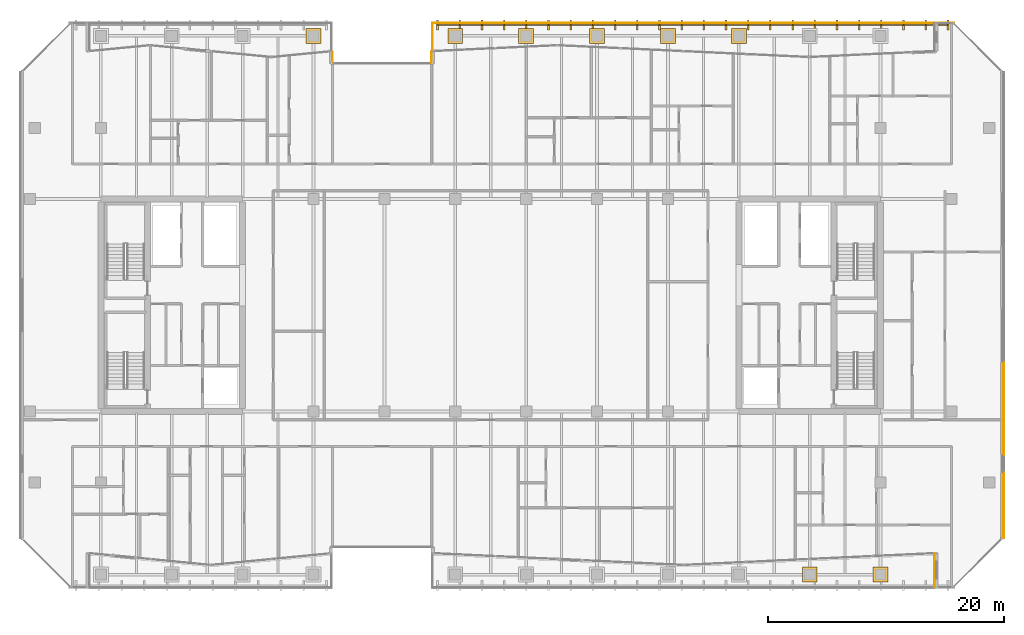
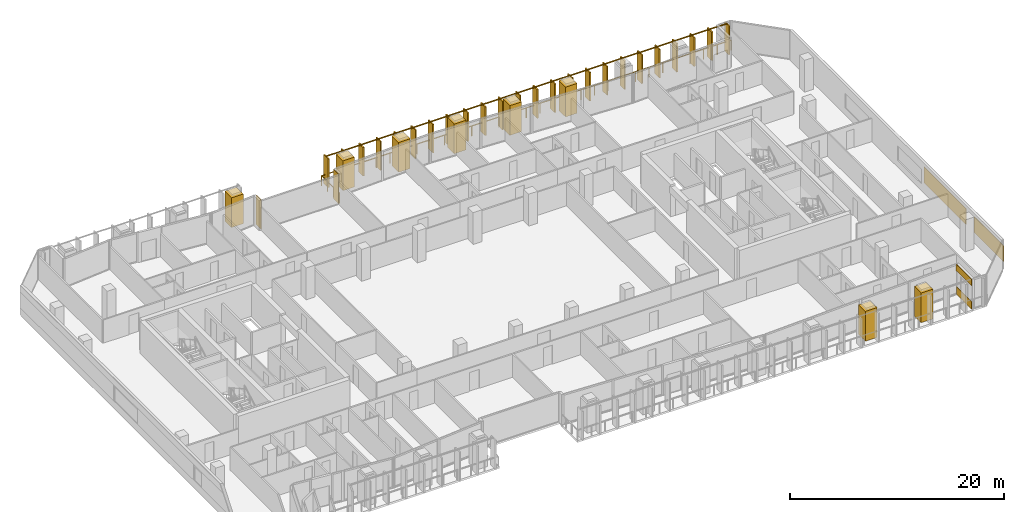
# One storey, part 37 of 39: 14 coverings, 2 railings.
"""IFC4 building model written with IfcOpenShell, lengths in metres."""

from ifc_helpers import new_model, si_unit, direction, frame, origin, origin_2d, place, context, subcontext, project, spatial, rectangle, extrude, material, layer, layer_set, type_object, element, save


model = new_model("IFC4")

# Units and contexts
model_context = context("Model", 3, precision=1e-05, world=origin(), true_north=direction((0.0, 1.0)))
body_context = subcontext(model_context, "Body", "Model", "MODEL_VIEW")
ifc_project = project(units=[si_unit("LENGTHUNIT", "METRE"), si_unit("AREAUNIT", "SQUARE_METRE"), si_unit("VOLUMEUNIT", "CUBIC_METRE"), si_unit("PLANEANGLEUNIT", "RADIAN"), si_unit("MASSUNIT", "GRAM", prefix="KILO")], contexts=[model_context])

# Site, building, storey
site_placement = place(None, origin())
site = spatial("IfcSite", under=ifc_project, at=site_placement, CompositionType="ELEMENT")
building_placement = place(site_placement, origin())
building = spatial("IfcBuilding", under=site, at=building_placement, Name="Tanjung Sevakor Pilgrim Tower", CompositionType="ELEMENT")
storey_placement = place(building_placement, frame((0.0, 0.0, 108.570068359375)))
storey = spatial("IfcBuildingStorey", under=building, at=storey_placement, Name="L30", CompositionType="ELEMENT", Elevation=108.570068359375)

# Coverings
ifc_material_1 = material(Name="Reconstructed Limestone Cladding", Category="masonry")
ifc_layer = layer(ifc_material_1, 0.044921875)
ifc_layer_set = layer_set([ifc_layer], Name="COV-CLAD-LIMESTONE")
covering_type = type_object("IfcCoveringType", Name="COV-CLAD-LIMESTONE", PredefinedType="CLADDING", material=ifc_layer_set)
covering_1_placement = place(storey_placement, frame((94.577392578125, 11.16796875, 0.009765625), z_axis=(0.0, 0.0, 1.0), x_axis=(0.0, -1.0, 0.0)))
element("IfcCovering", 1, at=covering_1_placement, inside=storey, type_object=covering_type, Name="L30 Warm Limestone Sill Spandrel EW-L30-MAIN-14-1", PredefinedType="CLADDING", context=body_context, shape_type="SweptSolid", body=[
    extrude(rectangle(XDim=2.805908203125, YDim=0.044921875, at=origin_2d()), origin(), (0.0, 0.0, 1.0), 0.840087890625),
])
covering_2_placement = place(storey_placement, frame((94.577392578125, 11.16796875, 2.66015625), z_axis=(0.0, 0.0, 1.0), x_axis=(0.0, -1.0, 0.0)))
element("IfcCovering", 2, at=covering_2_placement, inside=storey, type_object=covering_type, Name="L30 Warm Limestone Cornice Spandrel EW-L30-MAIN-14", PredefinedType="CLADDING", context=body_context, shape_type="SweptSolid", body=[
    extrude(rectangle(XDim=2.845947265625, YDim=0.044921875, at=origin_2d()), origin(), (0.0, 0.0, 1.0), 0.739990234375),
])
covering_3_placement = place(storey_placement, frame((100.422607421875, 16.648681640625, 0.849853515625), z_axis=(0.0, 0.0, 1.0), x_axis=(0.0, 1.0, 0.0)))
element("IfcCovering", 3, at=covering_3_placement, inside=storey, type_object=covering_type, Name="L30 Warm Limestone Pier Panel EW-L30-MAIN-17-1", PredefinedType="CLADDING", context=body_context, shape_type="SweptSolid", body=[
    extrude(rectangle(XDim=5.51416015625, YDim=0.044921875, at=origin_2d()), origin(), (0.0, 0.0, 1.0), 1.81005859375),
])
covering_4_placement = place(storey_placement, frame((100.422607421875, 24.8330078125, 0.849853515625), z_axis=(0.0, 0.0, 1.0), x_axis=(0.0, 1.0, 0.0)))
element("IfcCovering", 4, at=covering_4_placement, inside=storey, type_object=covering_type, Name="L30 Warm Limestone Pier Panel EW-L30-MAIN-17-2", PredefinedType="CLADDING", context=body_context, shape_type="SweptSolid", body=[
    extrude(rectangle(XDim=7.85400390625, YDim=0.044921875, at=origin_2d()), origin(), (0.0, 0.0, 1.0), 1.81005859375),
])
covering_5_placement = place(storey_placement, frame((51.9775390625, 54.587890625, 0.019775390625), z_axis=(0.0, 0.0, 1.0), x_axis=(0.0, -1.0, 0.0)))
element("IfcCovering", 5, at=covering_5_placement, inside=storey, type_object=covering_type, Name="L30 Warm Limestone Wall Cladding EW-L30-MAIN-25", PredefinedType="CLADDING", context=body_context, shape_type="SweptSolid", body=[
    extrude(rectangle(XDim=0.985595703125, YDim=0.044921875, at=origin_2d()), origin(), (0.0, 0.0, 1.0), 3.3701171875),
])
covering_6_placement = place(storey_placement, frame((43.62255859375, 54.57861328125, 0.019775390625), z_axis=(0.0, 0.0, 1.0), x_axis=(0.0, 1.0, 0.0)))
element("IfcCovering", 6, at=covering_6_placement, inside=storey, type_object=covering_type, Name="L30 Warm Limestone Wall Cladding EW-L30-MAIN-27", PredefinedType="CLADDING", context=body_context, shape_type="SweptSolid", body=[
    extrude(rectangle(XDim=0.96728515625, YDim=0.044921875, at=origin_2d()), origin(), (0.0, 0.0, 1.0), 3.3701171875),
])
for number, where, z_axis, x_axis, name in (
    (7, (42.0, 56.39990234375, 0.009765625), (0.0, 0.0, 1.0), (1.0, 0.0, 0.0), "L30 Colonnade Pier Limestone Casing 32"),
    (8, (54.0, 56.39990234375, 0.009765625), (0.0, 0.0, 1.0), (1.0, 0.0, 0.0), "L30 Colonnade Pier Limestone Casing 34"),
    (9, (60.0, 56.39990234375, 0.009765625), (0.0, 0.0, 1.0), (1.0, 0.0, 0.0), "L30 Colonnade Pier Limestone Casing 36"),
    (10, (66.0, 56.39990234375, 0.009765625), (0.0, 0.0, 1.0), (1.0, 0.0, 0.0), "L30 Colonnade Pier Limestone Casing 38"),
    (11, (72.0, 56.39990234375, 0.009765625), (0.0, 0.0, 1.0), (1.0, 0.0, 0.0), "L30 Colonnade Pier Limestone Casing 40"),
    (12, (78.0, 56.39990234375, 0.009765625), (0.0, 0.0, 1.0), (1.0, 0.0, 0.0), "L30 Colonnade Pier Limestone Casing 42"),
    (13, (84.0, 10.800048828125, 0.009765625), (0.0, 0.0, 1.0), (1.0, 0.0, 0.0), "L30 Colonnade Pier Limestone Casing 43"),
    (14, (90.0, 10.800048828125, 0.009765625), (0.0, 0.0, 1.0), (1.0, 0.0, 0.0), "L30 Colonnade Pier Limestone Casing 45"),
):
    element("IfcCovering", number, at=place(storey_placement, frame(where, z_axis=z_axis, x_axis=x_axis)), inside=storey, type_object=covering_type, Name=name, PredefinedType="CLADDING", context=body_context, shape_type="SweptSolid", body=[
        extrude(rectangle(XDim=1.260009765625, YDim=1.260009765625, at=origin_2d()), origin(), (0.0, 0.0, 1.0), 3.389892578125),
    ])

# Railings
ifc_material_2 = material(Name="Steel S355J2", Category="steel")
railing_type_1 = type_object("IfcRailingType", Name="RL-EXT-GUARD", PredefinedType="GUARDRAIL", material=ifc_material_2)
railing_1_placement = place(storey_placement, frame((52.080078125, 54.199951171875, 0.0)))
element("IfcRailing", 15, at=railing_1_placement, inside=storey, type_object=railing_type_1, Name="L30 S-Curve Gap Guardrail NE", PredefinedType="GUARDRAIL", context=body_context, shape_type="SweptSolid", body=[
    extrude(rectangle(XDim=0.0479, YDim=0.0479), frame((0.0, 0.0, 1.1259765625), z_axis=(0.0, 1.0, 0.0), x_axis=(-1.0, 0.0, 0.0)), (0.0, 0.0, 1.0), 3.300048828125),
    extrude(rectangle(XDim=0.0479, YDim=0.0479), frame((0.0, 3.300048828125, 1.1259765625), z_axis=(1.0, 0.0, 0.0), x_axis=(0.0, 1.0, 0.0)), (0.0, 0.0, 1.0), 44.119873046875),
    extrude(rectangle(XDim=0.042, YDim=0.042), origin(), (0.0, 0.0, 1.0), 1.101806640625),
    extrude(rectangle(XDim=0.042, YDim=0.042), frame((0.0, 1.10009765625, 0.0)), (0.0, 0.0, 1.0), 1.101806640625),
    extrude(rectangle(XDim=0.042, YDim=0.042), frame((0.0, 2.199951171875, 0.0)), (0.0, 0.0, 1.0), 1.101806640625),
    extrude(rectangle(XDim=0.042, YDim=0.042), frame((0.0, 3.300048828125, 0.0)), (0.0, 0.0, 1.0), 1.101806640625),
    extrude(rectangle(XDim=0.042, YDim=0.042), frame((1.470703125, 3.300048828125, 0.0)), (0.0, 0.0, 1.0), 1.101806640625),
    extrude(rectangle(XDim=0.042, YDim=0.042), frame((2.94140625, 3.300048828125, 0.0)), (0.0, 0.0, 1.0), 1.101806640625),
    extrude(rectangle(XDim=0.042, YDim=0.042), frame((4.412109375, 3.300048828125, 0.0)), (0.0, 0.0, 1.0), 1.101806640625),
    extrude(rectangle(XDim=0.042, YDim=0.042), frame((5.882568359375, 3.300048828125, 0.0)), (0.0, 0.0, 1.0), 1.101806640625),
    extrude(rectangle(XDim=0.042, YDim=0.042), frame((7.353271484375, 3.300048828125, 0.0)), (0.0, 0.0, 1.0), 1.101806640625),
    extrude(rectangle(XDim=0.042, YDim=0.042), frame((8.823974609375, 3.300048828125, 0.0)), (0.0, 0.0, 1.0), 1.101806640625),
    extrude(rectangle(XDim=0.042, YDim=0.042), frame((10.294677734375, 3.300048828125, 0.0)), (0.0, 0.0, 1.0), 1.101806640625),
    extrude(rectangle(XDim=0.042, YDim=0.042), frame((11.765380859375, 3.300048828125, 0.0)), (0.0, 0.0, 1.0), 1.101806640625),
    extrude(rectangle(XDim=0.042, YDim=0.042), frame((13.23583984375, 3.300048828125, 0.0)), (0.0, 0.0, 1.0), 1.101806640625),
    extrude(rectangle(XDim=0.042, YDim=0.042), frame((14.70654296875, 3.300048828125, 0.0)), (0.0, 0.0, 1.0), 1.101806640625),
    extrude(rectangle(XDim=0.042, YDim=0.042), frame((16.17724609375, 3.300048828125, 0.0)), (0.0, 0.0, 1.0), 1.101806640625),
    extrude(rectangle(XDim=0.042, YDim=0.042), frame((17.64794921875, 3.300048828125, 0.0)), (0.0, 0.0, 1.0), 1.101806640625),
    extrude(rectangle(XDim=0.042, YDim=0.042), frame((19.11865234375, 3.300048828125, 0.0)), (0.0, 0.0, 1.0), 1.101806640625),
    extrude(rectangle(XDim=0.042, YDim=0.042), frame((20.58935546875, 3.300048828125, 0.0)), (0.0, 0.0, 1.0), 1.101806640625),
    extrude(rectangle(XDim=0.042, YDim=0.042), frame((22.06005859375, 3.300048828125, 0.0)), (0.0, 0.0, 1.0), 1.101806640625),
    extrude(rectangle(XDim=0.042, YDim=0.042), frame((23.530517578125, 3.300048828125, 0.0)), (0.0, 0.0, 1.0), 1.101806640625),
    extrude(rectangle(XDim=0.042, YDim=0.042), frame((25.001220703125, 3.300048828125, 0.0)), (0.0, 0.0, 1.0), 1.101806640625),
    extrude(rectangle(XDim=0.042, YDim=0.042), frame((26.471923828125, 3.300048828125, 0.0)), (0.0, 0.0, 1.0), 1.101806640625),
    extrude(rectangle(XDim=0.042, YDim=0.042), frame((27.942626953125, 3.300048828125, 0.0)), (0.0, 0.0, 1.0), 1.101806640625),
    extrude(rectangle(XDim=0.042, YDim=0.042), frame((29.413330078125, 3.300048828125, 0.0)), (0.0, 0.0, 1.0), 1.101806640625),
    extrude(rectangle(XDim=0.042, YDim=0.042), frame((30.8837890625, 3.300048828125, 0.0)), (0.0, 0.0, 1.0), 1.101806640625),
    extrude(rectangle(XDim=0.042, YDim=0.042), frame((32.3544921875, 3.300048828125, 0.0)), (0.0, 0.0, 1.0), 1.101806640625),
    extrude(rectangle(XDim=0.042, YDim=0.042), frame((33.8251953125, 3.300048828125, 0.0)), (0.0, 0.0, 1.0), 1.101806640625),
    extrude(rectangle(XDim=0.042, YDim=0.042), frame((35.2958984375, 3.300048828125, 0.0)), (0.0, 0.0, 1.0), 1.101806640625),
    extrude(rectangle(XDim=0.042, YDim=0.042), frame((36.7666015625, 3.300048828125, 0.0)), (0.0, 0.0, 1.0), 1.101806640625),
    extrude(rectangle(XDim=0.042, YDim=0.042), frame((38.2373046875, 3.300048828125, 0.0)), (0.0, 0.0, 1.0), 1.101806640625),
    extrude(rectangle(XDim=0.042, YDim=0.042), frame((39.7080078125, 3.300048828125, 0.0)), (0.0, 0.0, 1.0), 1.101806640625),
    extrude(rectangle(XDim=0.042, YDim=0.042), frame((41.178466796875, 3.300048828125, 0.0)), (0.0, 0.0, 1.0), 1.101806640625),
    extrude(rectangle(XDim=0.042, YDim=0.042), frame((42.649169921875, 3.300048828125, 0.0)), (0.0, 0.0, 1.0), 1.101806640625),
    extrude(rectangle(XDim=0.042, YDim=0.042), frame((44.119873046875, 3.300048828125, 0.0)), (0.0, 0.0, 1.0), 1.101806640625),
])
ifc_material_3 = material(Name="Anodised Bronze Aluminium 6063-T6", Category="aluminium")
railing_type_2 = type_object("IfcRailingType", Name="RL-FIN-SCREEN", PredefinedType="BALUSTRADE", material=ifc_material_3)
railing_2_placement = place(storey_placement, frame((52.5, 57.320068359375, 0.0)))
element("IfcRailing", 16, at=railing_2_placement, inside=storey, type_object=railing_type_2, Name="L30 Vertical Bronze-Gold Solar Fin Screen FN-SCGAP-L30-NE-1", PredefinedType="BALUSTRADE", context=body_context, shape_type="SweptSolid", body=[
    extrude(rectangle(XDim=0.105, YDim=0.105), frame((0.0, 0.0, 3.317626953125), z_axis=(1.0, 0.0, 0.0), x_axis=(0.0, 1.0, 0.0)), (0.0, 0.0, 1.0), 43.199951171875),
    extrude(rectangle(XDim=0.14, YDim=0.85), origin(), (0.0, 0.0, 1.0), 3.26513671875),
    extrude(rectangle(XDim=0.14, YDim=0.85), frame((1.878173828125, 0.0, 0.0)), (0.0, 0.0, 1.0), 3.26513671875),
    extrude(rectangle(XDim=0.14, YDim=0.85), frame((3.756591796875, 0.0, 0.0)), (0.0, 0.0, 1.0), 3.26513671875),
    extrude(rectangle(XDim=0.14, YDim=0.85), frame((5.634765625, 0.0, 0.0)), (0.0, 0.0, 1.0), 3.26513671875),
    extrude(rectangle(XDim=0.14, YDim=0.85), frame((7.512939453125, 0.0, 0.0)), (0.0, 0.0, 1.0), 3.26513671875),
    extrude(rectangle(XDim=0.14, YDim=0.85), frame((9.391357421875, 0.0, 0.0)), (0.0, 0.0, 1.0), 3.26513671875),
    extrude(rectangle(XDim=0.14, YDim=0.85), frame((11.26953125, 0.0, 0.0)), (0.0, 0.0, 1.0), 3.26513671875),
    extrude(rectangle(XDim=0.14, YDim=0.85), frame((13.147705078125, 0.0, 0.0)), (0.0, 0.0, 1.0), 3.26513671875),
    extrude(rectangle(XDim=0.14, YDim=0.85), frame((15.026123046875, 0.0, 0.0)), (0.0, 0.0, 1.0), 3.26513671875),
    extrude(rectangle(XDim=0.14, YDim=0.85), frame((16.904296875, 0.0, 0.0)), (0.0, 0.0, 1.0), 3.26513671875),
    extrude(rectangle(XDim=0.14, YDim=0.85), frame((18.782470703125, 0.0, 0.0)), (0.0, 0.0, 1.0), 3.26513671875),
    extrude(rectangle(XDim=0.14, YDim=0.85), frame((20.660888671875, 0.0, 0.0)), (0.0, 0.0, 1.0), 3.26513671875),
    extrude(rectangle(XDim=0.14, YDim=0.85), frame((22.5390625, 0.0, 0.0)), (0.0, 0.0, 1.0), 3.26513671875),
    extrude(rectangle(XDim=0.14, YDim=0.85), frame((24.41748046875, 0.0, 0.0)), (0.0, 0.0, 1.0), 3.26513671875),
    extrude(rectangle(XDim=0.14, YDim=0.85), frame((26.295654296875, 0.0, 0.0)), (0.0, 0.0, 1.0), 3.26513671875),
    extrude(rectangle(XDim=0.14, YDim=0.85), frame((28.173828125, 0.0, 0.0)), (0.0, 0.0, 1.0), 3.26513671875),
    extrude(rectangle(XDim=0.14, YDim=0.85), frame((30.05224609375, 0.0, 0.0)), (0.0, 0.0, 1.0), 3.26513671875),
    extrude(rectangle(XDim=0.14, YDim=0.85), frame((31.930419921875, 0.0, 0.0)), (0.0, 0.0, 1.0), 3.26513671875),
    extrude(rectangle(XDim=0.14, YDim=0.85), frame((33.80859375, 0.0, 0.0)), (0.0, 0.0, 1.0), 3.26513671875),
    extrude(rectangle(XDim=0.14, YDim=0.85), frame((35.68701171875, 0.0, 0.0)), (0.0, 0.0, 1.0), 3.26513671875),
    extrude(rectangle(XDim=0.14, YDim=0.85), frame((37.565185546875, 0.0, 0.0)), (0.0, 0.0, 1.0), 3.26513671875),
    extrude(rectangle(XDim=0.14, YDim=0.85), frame((39.443359375, 0.0, 0.0)), (0.0, 0.0, 1.0), 3.26513671875),
    extrude(rectangle(XDim=0.14, YDim=0.85), frame((41.32177734375, 0.0, 0.0)), (0.0, 0.0, 1.0), 3.26513671875),
    extrude(rectangle(XDim=0.14, YDim=0.85), frame((43.199951171875, 0.0, 0.0)), (0.0, 0.0, 1.0), 3.26513671875),
])

save(model, "model.ifc")
